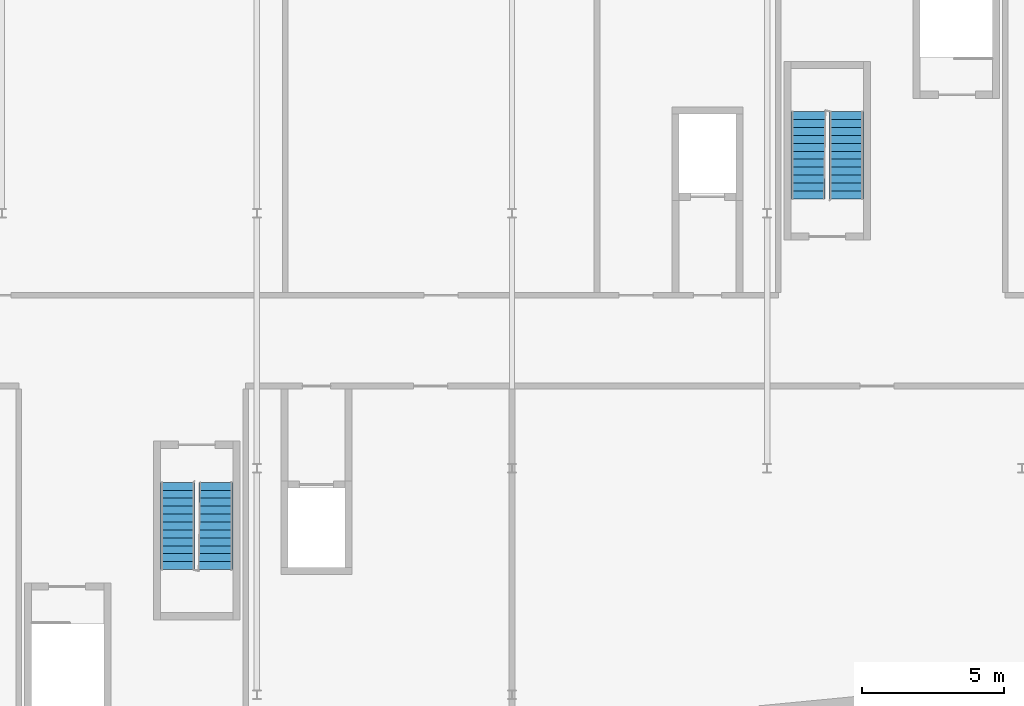
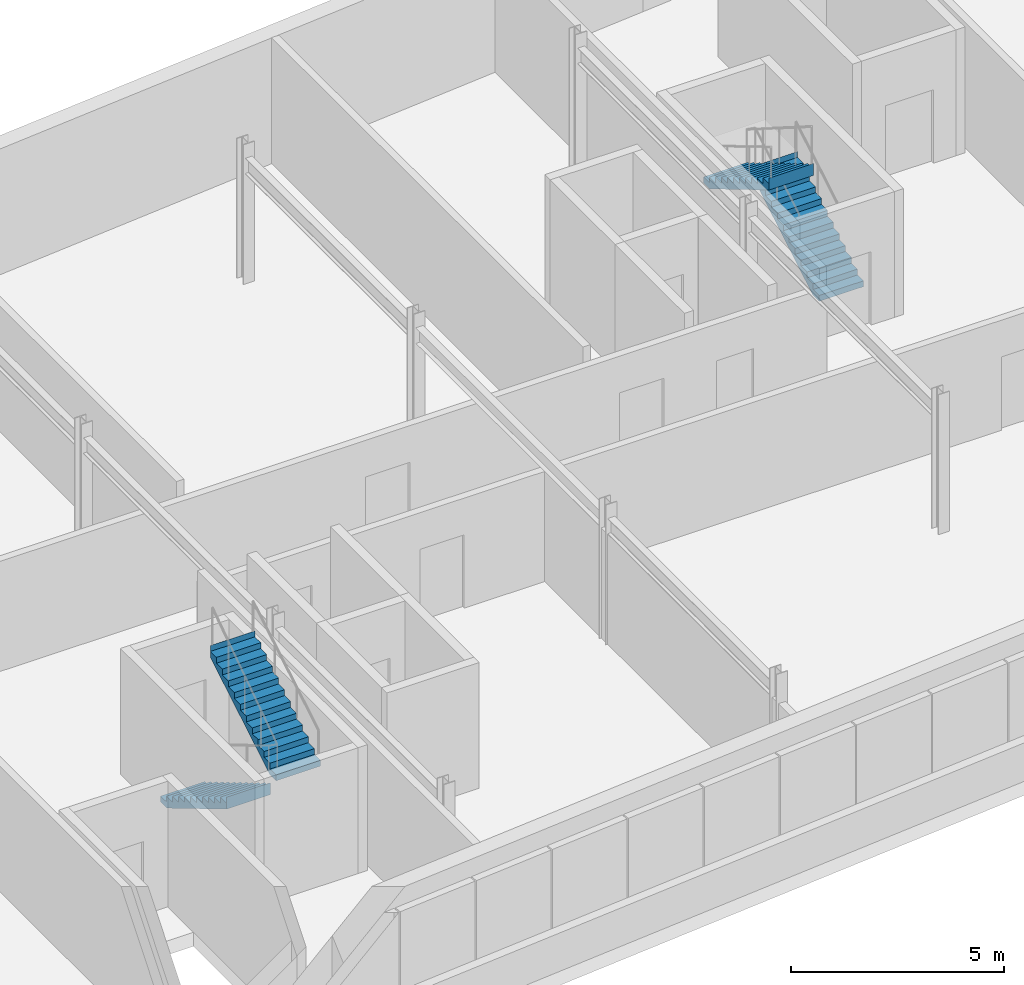
# One storey, part 5 of 6: 4 stair flights, 2 elements without a shape of their own.
"""IFC4 building model written with IfcOpenShell, lengths in metres."""

from ifc_helpers import new_model, si_unit, direction, frame, origin, place, context, subcontext, project, spatial, faceted_brep, material, type_object, element, aggregate, save


model = new_model("IFC4")

# Units and contexts
model_context = context("Model", 3, precision=1e-05, world=origin(), true_north=direction((0.0, 1.0)))
body_context = subcontext(model_context, "Body", "Model", "MODEL_VIEW")
ifc_project = project(units=[si_unit("LENGTHUNIT", "METRE"), si_unit("AREAUNIT", "SQUARE_METRE"), si_unit("VOLUMEUNIT", "CUBIC_METRE"), si_unit("PLANEANGLEUNIT", "RADIAN"), si_unit("MASSUNIT", "GRAM", prefix="KILO")], contexts=[model_context])

# Site, building, storey
site_placement = place(None, origin())
site = spatial("IfcSite", under=ifc_project, at=site_placement, CompositionType="ELEMENT")
building_placement = place(site_placement, origin())
building = spatial("IfcBuilding", under=site, at=building_placement, Name="Kajstack Hotel Tower", CompositionType="ELEMENT")
storey_placement = place(building_placement, frame((0.0, 0.0, 321.800048828125)))
storey = spatial("IfcBuildingStorey", under=building, at=storey_placement, Name="L81", CompositionType="ELEMENT", Elevation=321.800048828125)

# Stair, stair flights
ifc_material = material(Name="Concrete C40/50", Category="concrete")
stair_type = type_object("IfcStairType", Name="Exit stair 1200", PredefinedType="HALF_TURN_STAIR", material=ifc_material)
stair_1_placement = place(storey_placement, origin())
stair_1 = element("IfcStair", 1, at=stair_1_placement, inside=storey, type_object=stair_type, Name="L81 stair R1", PredefinedType="HALF_TURN_STAIR")
stair_flight_type = type_object("IfcStairFlightType", Name="Exit stair flight 1200", PredefinedType="STRAIGHT", material=ifc_material)
stair_flight_1_placement = place(storey_placement, frame((-11.800048828125, -5.0, 0.0), z_axis=(0.0, 0.0, 1.0), x_axis=(0.0, -1.0, 0.0)))
stair_flight_1 = element("IfcStairFlight", 2, at=stair_flight_1_placement, type_object=stair_flight_type, Name="R1 flight 1", NumberOfRisers=12, NumberOfTreads=11, PredefinedType="STRAIGHT", RiserHeight=0.166666667, TreadLength=0.28, context=body_context, shape_type="Brep", body=[
    faceted_brep([(0.29345703125, -0.60009765625, 0.0), (3.08056640625, -0.60009765625, 1.658935546875), (3.08056640625, -0.60009765625, 2.0), (3.080078125, -0.60009765625, 2.0), (3.080078125, -0.60009765625, 1.833251953125), (2.800048828125, -0.60009765625, 1.833251953125), (2.800048828125, -0.60009765625, 1.666748046875), (2.52001953125, -0.60009765625, 1.666748046875), (2.52001953125, -0.60009765625, 1.5), (2.239990234375, -0.60009765625, 1.5), (2.239990234375, -0.60009765625, 1.333251953125), (1.9599609375, -0.60009765625, 1.333251953125), (1.9599609375, -0.60009765625, 1.166748046875), (1.679931640625, -0.60009765625, 1.166748046875), (1.679931640625, -0.60009765625, 1.0), (1.39990234375, -0.60009765625, 1.0), (1.39990234375, -0.60009765625, 0.833251953125), (1.1201171875, -0.60009765625, 0.833251953125), (1.1201171875, -0.60009765625, 0.666748046875), (0.840087890625, -0.60009765625, 0.666748046875), (0.840087890625, -0.60009765625, 0.5), (0.56005859375, -0.60009765625, 0.5), (0.56005859375, -0.60009765625, 0.333251953125), (0.280029296875, -0.60009765625, 0.333251953125), (0.280029296875, -0.60009765625, 0.166748046875), (-0.00048828125, -0.60009765625, 0.166748046875), (-0.00048828125, -0.60009765625, 0.0), (-0.00048828125, 0.60009765625, 0.0), (-0.00048828125, 0.60009765625, 0.166748046875), (0.280029296875, 0.60009765625, 0.166748046875), (0.280029296875, 0.60009765625, 0.333251953125), (0.56005859375, 0.60009765625, 0.333251953125), (0.56005859375, 0.60009765625, 0.5), (0.840087890625, 0.60009765625, 0.5), (0.840087890625, 0.60009765625, 0.666748046875), (1.1201171875, 0.60009765625, 0.666748046875), (1.1201171875, 0.60009765625, 0.833251953125), (1.39990234375, 0.60009765625, 0.833251953125), (1.39990234375, 0.60009765625, 1.0), (1.679931640625, 0.60009765625, 1.0), (1.679931640625, 0.60009765625, 1.166748046875), (1.9599609375, 0.60009765625, 1.166748046875), (1.9599609375, 0.60009765625, 1.333251953125), (2.239990234375, 0.60009765625, 1.333251953125), (2.239990234375, 0.60009765625, 1.5), (2.52001953125, 0.60009765625, 1.5), (2.52001953125, 0.60009765625, 1.666748046875), (2.800048828125, 0.60009765625, 1.666748046875), (2.800048828125, 0.60009765625, 1.833251953125), (3.080078125, 0.60009765625, 1.833251953125), (3.080078125, 0.60009765625, 2.0), (3.08056640625, 0.60009765625, 2.0), (3.08056640625, 0.60009765625, 1.658935546875), (0.29345703125, 0.60009765625, 0.0), (-0.00048828125, -0.300048828125, 0.166748046875), (-0.00048828125, 0.0, 0.166748046875), (-0.00048828125, 0.300048828125, 0.166748046875), (-0.00048828125, 0.300048828125, 0.0), (-0.00048828125, 0.0, 0.0), (-0.00048828125, -0.300048828125, 0.0), (0.280029296875, -0.300048828125, 0.166748046875), (0.280029296875, 0.0, 0.166748046875), (0.280029296875, 0.300048828125, 0.166748046875), (0.280029296875, -0.300048828125, 0.333251953125), (0.280029296875, 0.0, 0.333251953125), (0.280029296875, 0.300048828125, 0.333251953125), (0.56005859375, -0.300048828125, 0.333251953125), (0.56005859375, 0.0, 0.333251953125), (0.56005859375, 0.300048828125, 0.333251953125), (0.56005859375, -0.300048828125, 0.5), (0.56005859375, 0.0, 0.5), (0.56005859375, 0.300048828125, 0.5), (0.840087890625, -0.300048828125, 0.5), (0.840087890625, 0.0, 0.5), (0.840087890625, 0.300048828125, 0.5), (0.840087890625, -0.300048828125, 0.666748046875), (0.840087890625, 0.0, 0.666748046875), (0.840087890625, 0.300048828125, 0.666748046875), (1.1201171875, -0.300048828125, 0.666748046875), (1.1201171875, 0.0, 0.666748046875), (1.1201171875, 0.300048828125, 0.666748046875), (1.1201171875, -0.300048828125, 0.833251953125), (1.1201171875, 0.0, 0.833251953125), (1.1201171875, 0.300048828125, 0.833251953125), (1.39990234375, -0.300048828125, 0.833251953125), (1.39990234375, 0.0, 0.833251953125), (1.39990234375, 0.300048828125, 0.833251953125), (1.39990234375, -0.300048828125, 1.0), (1.39990234375, 0.0, 1.0), (1.39990234375, 0.300048828125, 1.0), (1.679931640625, -0.300048828125, 1.0), (1.679931640625, 0.0, 1.0), (1.679931640625, 0.300048828125, 1.0), (1.679931640625, -0.300048828125, 1.166748046875), (1.679931640625, 0.0, 1.166748046875), (1.679931640625, 0.300048828125, 1.166748046875), (1.9599609375, -0.300048828125, 1.166748046875), (1.9599609375, 0.0, 1.166748046875), (1.9599609375, 0.300048828125, 1.166748046875), (1.9599609375, -0.300048828125, 1.333251953125), (1.9599609375, 0.0, 1.333251953125), (1.9599609375, 0.300048828125, 1.333251953125), (2.239990234375, -0.300048828125, 1.333251953125), (2.239990234375, 0.0, 1.333251953125), (2.239990234375, 0.300048828125, 1.333251953125), (2.239990234375, -0.300048828125, 1.5), (2.239990234375, 0.0, 1.5), (2.239990234375, 0.300048828125, 1.5), (2.52001953125, -0.300048828125, 1.5), (2.52001953125, 0.0, 1.5), (2.52001953125, 0.300048828125, 1.5), (2.52001953125, -0.300048828125, 1.666748046875), (2.52001953125, 0.0, 1.666748046875), (2.52001953125, 0.300048828125, 1.666748046875), (2.800048828125, -0.300048828125, 1.666748046875), (2.800048828125, 0.0, 1.666748046875), (2.800048828125, 0.300048828125, 1.666748046875), (2.800048828125, -0.300048828125, 1.833251953125), (2.800048828125, 0.0, 1.833251953125), (2.800048828125, 0.300048828125, 1.833251953125), (3.080078125, -0.300048828125, 1.833251953125), (3.080078125, 0.0, 1.833251953125), (3.080078125, 0.300048828125, 1.833251953125), (3.080078125, -0.300048828125, 2.0), (3.080078125, 0.0, 2.0), (3.080078125, 0.300048828125, 2.0), (3.08056640625, -0.300048828125, 2.0), (3.08056640625, 0.0, 2.0), (3.08056640625, 0.300048828125, 2.0), (3.08056640625, -0.300048828125, 1.658935546875), (3.08056640625, 0.0, 1.658935546875), (3.08056640625, 0.300048828125, 1.658935546875), (0.29345703125, -0.300048828125, 0.0), (0.29345703125, 0.0, 0.0), (0.29345703125, 0.300048828125, 0.0)], [[[0, 1, 2, 3, 4, 5, 6, 7, 8, 9, 10, 11, 12, 13, 14, 15, 16, 17, 18, 19, 20, 21, 22, 23, 24, 25, 26]], [[27, 28, 29, 30, 31, 32, 33, 34, 35, 36, 37, 38, 39, 40, 41, 42, 43, 44, 45, 46, 47, 48, 49, 50, 51, 52, 53]], [[25, 54, 55, 56, 28, 27, 57, 58, 59, 26]], [[24, 60, 61, 62, 29, 28, 56, 55, 54, 25]], [[23, 63, 64, 65, 30, 29, 62, 61, 60, 24]], [[22, 66, 67, 68, 31, 30, 65, 64, 63, 23]], [[21, 69, 70, 71, 32, 31, 68, 67, 66, 22]], [[20, 72, 73, 74, 33, 32, 71, 70, 69, 21]], [[19, 75, 76, 77, 34, 33, 74, 73, 72, 20]], [[18, 78, 79, 80, 35, 34, 77, 76, 75, 19]], [[17, 81, 82, 83, 36, 35, 80, 79, 78, 18]], [[16, 84, 85, 86, 37, 36, 83, 82, 81, 17]], [[15, 87, 88, 89, 38, 37, 86, 85, 84, 16]], [[14, 90, 91, 92, 39, 38, 89, 88, 87, 15]], [[13, 93, 94, 95, 40, 39, 92, 91, 90, 14]], [[12, 96, 97, 98, 41, 40, 95, 94, 93, 13]], [[11, 99, 100, 101, 42, 41, 98, 97, 96, 12]], [[10, 102, 103, 104, 43, 42, 101, 100, 99, 11]], [[9, 105, 106, 107, 44, 43, 104, 103, 102, 10]], [[8, 108, 109, 110, 45, 44, 107, 106, 105, 9]], [[7, 111, 112, 113, 46, 45, 110, 109, 108, 8]], [[6, 114, 115, 116, 47, 46, 113, 112, 111, 7]], [[5, 117, 118, 119, 48, 47, 116, 115, 114, 6]], [[4, 120, 121, 122, 49, 48, 119, 118, 117, 5]], [[3, 123, 124, 125, 50, 49, 122, 121, 120, 4]], [[2, 126, 127, 128, 51, 50, 125, 124, 123, 3]], [[1, 129, 130, 131, 52, 51, 128, 127, 126, 2]], [[0, 132, 133, 134, 53, 52, 131, 130, 129, 1]], [[26, 59, 58, 57, 27, 53, 134, 133, 132, 0]]]),
])
stair_flight_2_placement = place(storey_placement, frame((-10.449951171875, -8.080078125, 2.0), z_axis=(0.0, 0.0, 1.0), x_axis=(0.0, 1.0, 0.0)))
stair_flight_2 = element("IfcStairFlight", 3, at=stair_flight_2_placement, type_object=stair_flight_type, Name="R1 flight 2", NumberOfRisers=12, NumberOfTreads=11, PredefinedType="STRAIGHT", RiserHeight=0.166666667, TreadLength=0.28, context=body_context, shape_type="Brep", body=[
    faceted_brep([(0.29345703125, -0.60009765625, 0.0), (3.08056640625, -0.60009765625, 1.658935546875), (3.08056640625, -0.60009765625, 2.0), (3.080078125, -0.60009765625, 2.0), (3.080078125, -0.60009765625, 1.833251953125), (2.800048828125, -0.60009765625, 1.833251953125), (2.800048828125, -0.60009765625, 1.666748046875), (2.52001953125, -0.60009765625, 1.666748046875), (2.52001953125, -0.60009765625, 1.5), (2.239990234375, -0.60009765625, 1.5), (2.239990234375, -0.60009765625, 1.333251953125), (1.9599609375, -0.60009765625, 1.333251953125), (1.9599609375, -0.60009765625, 1.166748046875), (1.679931640625, -0.60009765625, 1.166748046875), (1.679931640625, -0.60009765625, 1.0), (1.39990234375, -0.60009765625, 1.0), (1.39990234375, -0.60009765625, 0.833251953125), (1.1201171875, -0.60009765625, 0.833251953125), (1.1201171875, -0.60009765625, 0.666748046875), (0.840087890625, -0.60009765625, 0.666748046875), (0.840087890625, -0.60009765625, 0.5), (0.56005859375, -0.60009765625, 0.5), (0.56005859375, -0.60009765625, 0.333251953125), (0.280029296875, -0.60009765625, 0.333251953125), (0.280029296875, -0.60009765625, 0.166748046875), (-0.00048828125, -0.60009765625, 0.166748046875), (-0.00048828125, -0.60009765625, 0.0), (-0.00048828125, 0.60009765625, 0.0), (-0.00048828125, 0.60009765625, 0.166748046875), (0.280029296875, 0.60009765625, 0.166748046875), (0.280029296875, 0.60009765625, 0.333251953125), (0.56005859375, 0.60009765625, 0.333251953125), (0.56005859375, 0.60009765625, 0.5), (0.840087890625, 0.60009765625, 0.5), (0.840087890625, 0.60009765625, 0.666748046875), (1.1201171875, 0.60009765625, 0.666748046875), (1.1201171875, 0.60009765625, 0.833251953125), (1.39990234375, 0.60009765625, 0.833251953125), (1.39990234375, 0.60009765625, 1.0), (1.679931640625, 0.60009765625, 1.0), (1.679931640625, 0.60009765625, 1.166748046875), (1.9599609375, 0.60009765625, 1.166748046875), (1.9599609375, 0.60009765625, 1.333251953125), (2.239990234375, 0.60009765625, 1.333251953125), (2.239990234375, 0.60009765625, 1.5), (2.52001953125, 0.60009765625, 1.5), (2.52001953125, 0.60009765625, 1.666748046875), (2.800048828125, 0.60009765625, 1.666748046875), (2.800048828125, 0.60009765625, 1.833251953125), (3.080078125, 0.60009765625, 1.833251953125), (3.080078125, 0.60009765625, 2.0), (3.08056640625, 0.60009765625, 2.0), (3.08056640625, 0.60009765625, 1.658935546875), (0.29345703125, 0.60009765625, 0.0), (-0.00048828125, -0.300048828125, 0.166748046875), (-0.00048828125, 0.0, 0.166748046875), (-0.00048828125, 0.300048828125, 0.166748046875), (-0.00048828125, 0.300048828125, 0.0), (-0.00048828125, 0.0, 0.0), (-0.00048828125, -0.300048828125, 0.0), (0.280029296875, -0.300048828125, 0.166748046875), (0.280029296875, 0.0, 0.166748046875), (0.280029296875, 0.300048828125, 0.166748046875), (0.280029296875, -0.300048828125, 0.333251953125), (0.280029296875, 0.0, 0.333251953125), (0.280029296875, 0.300048828125, 0.333251953125), (0.56005859375, -0.300048828125, 0.333251953125), (0.56005859375, 0.0, 0.333251953125), (0.56005859375, 0.300048828125, 0.333251953125), (0.56005859375, -0.300048828125, 0.5), (0.56005859375, 0.0, 0.5), (0.56005859375, 0.300048828125, 0.5), (0.840087890625, -0.300048828125, 0.5), (0.840087890625, 0.0, 0.5), (0.840087890625, 0.300048828125, 0.5), (0.840087890625, -0.300048828125, 0.666748046875), (0.840087890625, 0.0, 0.666748046875), (0.840087890625, 0.300048828125, 0.666748046875), (1.1201171875, -0.300048828125, 0.666748046875), (1.1201171875, 0.0, 0.666748046875), (1.1201171875, 0.300048828125, 0.666748046875), (1.1201171875, -0.300048828125, 0.833251953125), (1.1201171875, 0.0, 0.833251953125), (1.1201171875, 0.300048828125, 0.833251953125), (1.39990234375, -0.300048828125, 0.833251953125), (1.39990234375, 0.0, 0.833251953125), (1.39990234375, 0.300048828125, 0.833251953125), (1.39990234375, -0.300048828125, 1.0), (1.39990234375, 0.0, 1.0), (1.39990234375, 0.300048828125, 1.0), (1.679931640625, -0.300048828125, 1.0), (1.679931640625, 0.0, 1.0), (1.679931640625, 0.300048828125, 1.0), (1.679931640625, -0.300048828125, 1.166748046875), (1.679931640625, 0.0, 1.166748046875), (1.679931640625, 0.300048828125, 1.166748046875), (1.9599609375, -0.300048828125, 1.166748046875), (1.9599609375, 0.0, 1.166748046875), (1.9599609375, 0.300048828125, 1.166748046875), (1.9599609375, -0.300048828125, 1.333251953125), (1.9599609375, 0.0, 1.333251953125), (1.9599609375, 0.300048828125, 1.333251953125), (2.239990234375, -0.300048828125, 1.333251953125), (2.239990234375, 0.0, 1.333251953125), (2.239990234375, 0.300048828125, 1.333251953125), (2.239990234375, -0.300048828125, 1.5), (2.239990234375, 0.0, 1.5), (2.239990234375, 0.300048828125, 1.5), (2.52001953125, -0.300048828125, 1.5), (2.52001953125, 0.0, 1.5), (2.52001953125, 0.300048828125, 1.5), (2.52001953125, -0.300048828125, 1.666748046875), (2.52001953125, 0.0, 1.666748046875), (2.52001953125, 0.300048828125, 1.666748046875), (2.800048828125, -0.300048828125, 1.666748046875), (2.800048828125, 0.0, 1.666748046875), (2.800048828125, 0.300048828125, 1.666748046875), (2.800048828125, -0.300048828125, 1.833251953125), (2.800048828125, 0.0, 1.833251953125), (2.800048828125, 0.300048828125, 1.833251953125), (3.080078125, -0.300048828125, 1.833251953125), (3.080078125, 0.0, 1.833251953125), (3.080078125, 0.300048828125, 1.833251953125), (3.080078125, -0.300048828125, 2.0), (3.080078125, 0.0, 2.0), (3.080078125, 0.300048828125, 2.0), (3.08056640625, -0.300048828125, 2.0), (3.08056640625, 0.0, 2.0), (3.08056640625, 0.300048828125, 2.0), (3.08056640625, -0.300048828125, 1.658935546875), (3.08056640625, 0.0, 1.658935546875), (3.08056640625, 0.300048828125, 1.658935546875), (0.29345703125, -0.300048828125, 0.0), (0.29345703125, 0.0, 0.0), (0.29345703125, 0.300048828125, 0.0)], [[[0, 1, 2, 3, 4, 5, 6, 7, 8, 9, 10, 11, 12, 13, 14, 15, 16, 17, 18, 19, 20, 21, 22, 23, 24, 25, 26]], [[27, 28, 29, 30, 31, 32, 33, 34, 35, 36, 37, 38, 39, 40, 41, 42, 43, 44, 45, 46, 47, 48, 49, 50, 51, 52, 53]], [[25, 54, 55, 56, 28, 27, 57, 58, 59, 26]], [[24, 60, 61, 62, 29, 28, 56, 55, 54, 25]], [[23, 63, 64, 65, 30, 29, 62, 61, 60, 24]], [[22, 66, 67, 68, 31, 30, 65, 64, 63, 23]], [[21, 69, 70, 71, 32, 31, 68, 67, 66, 22]], [[20, 72, 73, 74, 33, 32, 71, 70, 69, 21]], [[19, 75, 76, 77, 34, 33, 74, 73, 72, 20]], [[18, 78, 79, 80, 35, 34, 77, 76, 75, 19]], [[17, 81, 82, 83, 36, 35, 80, 79, 78, 18]], [[16, 84, 85, 86, 37, 36, 83, 82, 81, 17]], [[15, 87, 88, 89, 38, 37, 86, 85, 84, 16]], [[14, 90, 91, 92, 39, 38, 89, 88, 87, 15]], [[13, 93, 94, 95, 40, 39, 92, 91, 90, 14]], [[12, 96, 97, 98, 41, 40, 95, 94, 93, 13]], [[11, 99, 100, 101, 42, 41, 98, 97, 96, 12]], [[10, 102, 103, 104, 43, 42, 101, 100, 99, 11]], [[9, 105, 106, 107, 44, 43, 104, 103, 102, 10]], [[8, 108, 109, 110, 45, 44, 107, 106, 105, 9]], [[7, 111, 112, 113, 46, 45, 110, 109, 108, 8]], [[6, 114, 115, 116, 47, 46, 113, 112, 111, 7]], [[5, 117, 118, 119, 48, 47, 116, 115, 114, 6]], [[4, 120, 121, 122, 49, 48, 119, 118, 117, 5]], [[3, 123, 124, 125, 50, 49, 122, 121, 120, 4]], [[2, 126, 127, 128, 51, 50, 125, 124, 123, 3]], [[1, 129, 130, 131, 52, 51, 128, 127, 126, 2]], [[0, 132, 133, 134, 53, 52, 131, 130, 129, 1]], [[26, 59, 58, 57, 27, 53, 134, 133, 132, 0]]]),
])
aggregate(stair_1, [stair_flight_1, stair_flight_2])

stair_2_placement = place(storey_placement, origin())
stair_2 = element("IfcStair", 4, at=stair_2_placement, inside=storey, type_object=stair_type, Name="L81 stair R2", PredefinedType="HALF_TURN_STAIR")
stair_flight_3_placement = place(storey_placement, frame((11.800048828125, 5.0, 0.0), z_axis=(0.0, 0.0, 1.0), x_axis=(0.0, 1.0, 0.0)))
stair_flight_3 = element("IfcStairFlight", 5, at=stair_flight_3_placement, type_object=stair_flight_type, Name="R2 flight 1", NumberOfRisers=12, NumberOfTreads=11, PredefinedType="STRAIGHT", RiserHeight=0.166666667, TreadLength=0.28, context=body_context, shape_type="Brep", body=[
    faceted_brep([(0.29345703125, -0.60009765625, 0.0), (3.08056640625, -0.60009765625, 1.658935546875), (3.08056640625, -0.60009765625, 2.0), (3.080078125, -0.60009765625, 2.0), (3.080078125, -0.60009765625, 1.833251953125), (2.800048828125, -0.60009765625, 1.833251953125), (2.800048828125, -0.60009765625, 1.666748046875), (2.52001953125, -0.60009765625, 1.666748046875), (2.52001953125, -0.60009765625, 1.5), (2.239990234375, -0.60009765625, 1.5), (2.239990234375, -0.60009765625, 1.333251953125), (1.9599609375, -0.60009765625, 1.333251953125), (1.9599609375, -0.60009765625, 1.166748046875), (1.679931640625, -0.60009765625, 1.166748046875), (1.679931640625, -0.60009765625, 1.0), (1.39990234375, -0.60009765625, 1.0), (1.39990234375, -0.60009765625, 0.833251953125), (1.1201171875, -0.60009765625, 0.833251953125), (1.1201171875, -0.60009765625, 0.666748046875), (0.840087890625, -0.60009765625, 0.666748046875), (0.840087890625, -0.60009765625, 0.5), (0.56005859375, -0.60009765625, 0.5), (0.56005859375, -0.60009765625, 0.333251953125), (0.280029296875, -0.60009765625, 0.333251953125), (0.280029296875, -0.60009765625, 0.166748046875), (-0.00048828125, -0.60009765625, 0.166748046875), (-0.00048828125, -0.60009765625, 0.0), (-0.00048828125, 0.60009765625, 0.0), (-0.00048828125, 0.60009765625, 0.166748046875), (0.280029296875, 0.60009765625, 0.166748046875), (0.280029296875, 0.60009765625, 0.333251953125), (0.56005859375, 0.60009765625, 0.333251953125), (0.56005859375, 0.60009765625, 0.5), (0.840087890625, 0.60009765625, 0.5), (0.840087890625, 0.60009765625, 0.666748046875), (1.1201171875, 0.60009765625, 0.666748046875), (1.1201171875, 0.60009765625, 0.833251953125), (1.39990234375, 0.60009765625, 0.833251953125), (1.39990234375, 0.60009765625, 1.0), (1.679931640625, 0.60009765625, 1.0), (1.679931640625, 0.60009765625, 1.166748046875), (1.9599609375, 0.60009765625, 1.166748046875), (1.9599609375, 0.60009765625, 1.333251953125), (2.239990234375, 0.60009765625, 1.333251953125), (2.239990234375, 0.60009765625, 1.5), (2.52001953125, 0.60009765625, 1.5), (2.52001953125, 0.60009765625, 1.666748046875), (2.800048828125, 0.60009765625, 1.666748046875), (2.800048828125, 0.60009765625, 1.833251953125), (3.080078125, 0.60009765625, 1.833251953125), (3.080078125, 0.60009765625, 2.0), (3.08056640625, 0.60009765625, 2.0), (3.08056640625, 0.60009765625, 1.658935546875), (0.29345703125, 0.60009765625, 0.0), (-0.00048828125, -0.300048828125, 0.166748046875), (-0.00048828125, 0.0, 0.166748046875), (-0.00048828125, 0.300048828125, 0.166748046875), (-0.00048828125, 0.300048828125, 0.0), (-0.00048828125, 0.0, 0.0), (-0.00048828125, -0.300048828125, 0.0), (0.280029296875, -0.300048828125, 0.166748046875), (0.280029296875, 0.0, 0.166748046875), (0.280029296875, 0.300048828125, 0.166748046875), (0.280029296875, -0.300048828125, 0.333251953125), (0.280029296875, 0.0, 0.333251953125), (0.280029296875, 0.300048828125, 0.333251953125), (0.56005859375, -0.300048828125, 0.333251953125), (0.56005859375, 0.0, 0.333251953125), (0.56005859375, 0.300048828125, 0.333251953125), (0.56005859375, -0.300048828125, 0.5), (0.56005859375, 0.0, 0.5), (0.56005859375, 0.300048828125, 0.5), (0.840087890625, -0.300048828125, 0.5), (0.840087890625, 0.0, 0.5), (0.840087890625, 0.300048828125, 0.5), (0.840087890625, -0.300048828125, 0.666748046875), (0.840087890625, 0.0, 0.666748046875), (0.840087890625, 0.300048828125, 0.666748046875), (1.1201171875, -0.300048828125, 0.666748046875), (1.1201171875, 0.0, 0.666748046875), (1.1201171875, 0.300048828125, 0.666748046875), (1.1201171875, -0.300048828125, 0.833251953125), (1.1201171875, 0.0, 0.833251953125), (1.1201171875, 0.300048828125, 0.833251953125), (1.39990234375, -0.300048828125, 0.833251953125), (1.39990234375, 0.0, 0.833251953125), (1.39990234375, 0.300048828125, 0.833251953125), (1.39990234375, -0.300048828125, 1.0), (1.39990234375, 0.0, 1.0), (1.39990234375, 0.300048828125, 1.0), (1.679931640625, -0.300048828125, 1.0), (1.679931640625, 0.0, 1.0), (1.679931640625, 0.300048828125, 1.0), (1.679931640625, -0.300048828125, 1.166748046875), (1.679931640625, 0.0, 1.166748046875), (1.679931640625, 0.300048828125, 1.166748046875), (1.9599609375, -0.300048828125, 1.166748046875), (1.9599609375, 0.0, 1.166748046875), (1.9599609375, 0.300048828125, 1.166748046875), (1.9599609375, -0.300048828125, 1.333251953125), (1.9599609375, 0.0, 1.333251953125), (1.9599609375, 0.300048828125, 1.333251953125), (2.239990234375, -0.300048828125, 1.333251953125), (2.239990234375, 0.0, 1.333251953125), (2.239990234375, 0.300048828125, 1.333251953125), (2.239990234375, -0.300048828125, 1.5), (2.239990234375, 0.0, 1.5), (2.239990234375, 0.300048828125, 1.5), (2.52001953125, -0.300048828125, 1.5), (2.52001953125, 0.0, 1.5), (2.52001953125, 0.300048828125, 1.5), (2.52001953125, -0.300048828125, 1.666748046875), (2.52001953125, 0.0, 1.666748046875), (2.52001953125, 0.300048828125, 1.666748046875), (2.800048828125, -0.300048828125, 1.666748046875), (2.800048828125, 0.0, 1.666748046875), (2.800048828125, 0.300048828125, 1.666748046875), (2.800048828125, -0.300048828125, 1.833251953125), (2.800048828125, 0.0, 1.833251953125), (2.800048828125, 0.300048828125, 1.833251953125), (3.080078125, -0.300048828125, 1.833251953125), (3.080078125, 0.0, 1.833251953125), (3.080078125, 0.300048828125, 1.833251953125), (3.080078125, -0.300048828125, 2.0), (3.080078125, 0.0, 2.0), (3.080078125, 0.300048828125, 2.0), (3.08056640625, -0.300048828125, 2.0), (3.08056640625, 0.0, 2.0), (3.08056640625, 0.300048828125, 2.0), (3.08056640625, -0.300048828125, 1.658935546875), (3.08056640625, 0.0, 1.658935546875), (3.08056640625, 0.300048828125, 1.658935546875), (0.29345703125, -0.300048828125, 0.0), (0.29345703125, 0.0, 0.0), (0.29345703125, 0.300048828125, 0.0)], [[[0, 1, 2, 3, 4, 5, 6, 7, 8, 9, 10, 11, 12, 13, 14, 15, 16, 17, 18, 19, 20, 21, 22, 23, 24, 25, 26]], [[27, 28, 29, 30, 31, 32, 33, 34, 35, 36, 37, 38, 39, 40, 41, 42, 43, 44, 45, 46, 47, 48, 49, 50, 51, 52, 53]], [[25, 54, 55, 56, 28, 27, 57, 58, 59, 26]], [[24, 60, 61, 62, 29, 28, 56, 55, 54, 25]], [[23, 63, 64, 65, 30, 29, 62, 61, 60, 24]], [[22, 66, 67, 68, 31, 30, 65, 64, 63, 23]], [[21, 69, 70, 71, 32, 31, 68, 67, 66, 22]], [[20, 72, 73, 74, 33, 32, 71, 70, 69, 21]], [[19, 75, 76, 77, 34, 33, 74, 73, 72, 20]], [[18, 78, 79, 80, 35, 34, 77, 76, 75, 19]], [[17, 81, 82, 83, 36, 35, 80, 79, 78, 18]], [[16, 84, 85, 86, 37, 36, 83, 82, 81, 17]], [[15, 87, 88, 89, 38, 37, 86, 85, 84, 16]], [[14, 90, 91, 92, 39, 38, 89, 88, 87, 15]], [[13, 93, 94, 95, 40, 39, 92, 91, 90, 14]], [[12, 96, 97, 98, 41, 40, 95, 94, 93, 13]], [[11, 99, 100, 101, 42, 41, 98, 97, 96, 12]], [[10, 102, 103, 104, 43, 42, 101, 100, 99, 11]], [[9, 105, 106, 107, 44, 43, 104, 103, 102, 10]], [[8, 108, 109, 110, 45, 44, 107, 106, 105, 9]], [[7, 111, 112, 113, 46, 45, 110, 109, 108, 8]], [[6, 114, 115, 116, 47, 46, 113, 112, 111, 7]], [[5, 117, 118, 119, 48, 47, 116, 115, 114, 6]], [[4, 120, 121, 122, 49, 48, 119, 118, 117, 5]], [[3, 123, 124, 125, 50, 49, 122, 121, 120, 4]], [[2, 126, 127, 128, 51, 50, 125, 124, 123, 3]], [[1, 129, 130, 131, 52, 51, 128, 127, 126, 2]], [[0, 132, 133, 134, 53, 52, 131, 130, 129, 1]], [[26, 59, 58, 57, 27, 53, 134, 133, 132, 0]]]),
])
stair_flight_4_placement = place(storey_placement, frame((10.449951171875, 8.080078125, 2.0), z_axis=(0.0, 0.0, 1.0), x_axis=(0.0, -1.0, 0.0)))
stair_flight_4 = element("IfcStairFlight", 6, at=stair_flight_4_placement, type_object=stair_flight_type, Name="R2 flight 2", NumberOfRisers=12, NumberOfTreads=11, PredefinedType="STRAIGHT", RiserHeight=0.166666667, TreadLength=0.28, context=body_context, shape_type="Brep", body=[
    faceted_brep([(0.29345703125, -0.60009765625, 0.0), (3.08056640625, -0.60009765625, 1.658935546875), (3.08056640625, -0.60009765625, 2.0), (3.080078125, -0.60009765625, 2.0), (3.080078125, -0.60009765625, 1.833251953125), (2.800048828125, -0.60009765625, 1.833251953125), (2.800048828125, -0.60009765625, 1.666748046875), (2.52001953125, -0.60009765625, 1.666748046875), (2.52001953125, -0.60009765625, 1.5), (2.239990234375, -0.60009765625, 1.5), (2.239990234375, -0.60009765625, 1.333251953125), (1.9599609375, -0.60009765625, 1.333251953125), (1.9599609375, -0.60009765625, 1.166748046875), (1.679931640625, -0.60009765625, 1.166748046875), (1.679931640625, -0.60009765625, 1.0), (1.39990234375, -0.60009765625, 1.0), (1.39990234375, -0.60009765625, 0.833251953125), (1.1201171875, -0.60009765625, 0.833251953125), (1.1201171875, -0.60009765625, 0.666748046875), (0.840087890625, -0.60009765625, 0.666748046875), (0.840087890625, -0.60009765625, 0.5), (0.56005859375, -0.60009765625, 0.5), (0.56005859375, -0.60009765625, 0.333251953125), (0.280029296875, -0.60009765625, 0.333251953125), (0.280029296875, -0.60009765625, 0.166748046875), (-0.00048828125, -0.60009765625, 0.166748046875), (-0.00048828125, -0.60009765625, 0.0), (-0.00048828125, 0.60009765625, 0.0), (-0.00048828125, 0.60009765625, 0.166748046875), (0.280029296875, 0.60009765625, 0.166748046875), (0.280029296875, 0.60009765625, 0.333251953125), (0.56005859375, 0.60009765625, 0.333251953125), (0.56005859375, 0.60009765625, 0.5), (0.840087890625, 0.60009765625, 0.5), (0.840087890625, 0.60009765625, 0.666748046875), (1.1201171875, 0.60009765625, 0.666748046875), (1.1201171875, 0.60009765625, 0.833251953125), (1.39990234375, 0.60009765625, 0.833251953125), (1.39990234375, 0.60009765625, 1.0), (1.679931640625, 0.60009765625, 1.0), (1.679931640625, 0.60009765625, 1.166748046875), (1.9599609375, 0.60009765625, 1.166748046875), (1.9599609375, 0.60009765625, 1.333251953125), (2.239990234375, 0.60009765625, 1.333251953125), (2.239990234375, 0.60009765625, 1.5), (2.52001953125, 0.60009765625, 1.5), (2.52001953125, 0.60009765625, 1.666748046875), (2.800048828125, 0.60009765625, 1.666748046875), (2.800048828125, 0.60009765625, 1.833251953125), (3.080078125, 0.60009765625, 1.833251953125), (3.080078125, 0.60009765625, 2.0), (3.08056640625, 0.60009765625, 2.0), (3.08056640625, 0.60009765625, 1.658935546875), (0.29345703125, 0.60009765625, 0.0), (-0.00048828125, -0.300048828125, 0.166748046875), (-0.00048828125, 0.0, 0.166748046875), (-0.00048828125, 0.300048828125, 0.166748046875), (-0.00048828125, 0.300048828125, 0.0), (-0.00048828125, 0.0, 0.0), (-0.00048828125, -0.300048828125, 0.0), (0.280029296875, -0.300048828125, 0.166748046875), (0.280029296875, 0.0, 0.166748046875), (0.280029296875, 0.300048828125, 0.166748046875), (0.280029296875, -0.300048828125, 0.333251953125), (0.280029296875, 0.0, 0.333251953125), (0.280029296875, 0.300048828125, 0.333251953125), (0.56005859375, -0.300048828125, 0.333251953125), (0.56005859375, 0.0, 0.333251953125), (0.56005859375, 0.300048828125, 0.333251953125), (0.56005859375, -0.300048828125, 0.5), (0.56005859375, 0.0, 0.5), (0.56005859375, 0.300048828125, 0.5), (0.840087890625, -0.300048828125, 0.5), (0.840087890625, 0.0, 0.5), (0.840087890625, 0.300048828125, 0.5), (0.840087890625, -0.300048828125, 0.666748046875), (0.840087890625, 0.0, 0.666748046875), (0.840087890625, 0.300048828125, 0.666748046875), (1.1201171875, -0.300048828125, 0.666748046875), (1.1201171875, 0.0, 0.666748046875), (1.1201171875, 0.300048828125, 0.666748046875), (1.1201171875, -0.300048828125, 0.833251953125), (1.1201171875, 0.0, 0.833251953125), (1.1201171875, 0.300048828125, 0.833251953125), (1.39990234375, -0.300048828125, 0.833251953125), (1.39990234375, 0.0, 0.833251953125), (1.39990234375, 0.300048828125, 0.833251953125), (1.39990234375, -0.300048828125, 1.0), (1.39990234375, 0.0, 1.0), (1.39990234375, 0.300048828125, 1.0), (1.679931640625, -0.300048828125, 1.0), (1.679931640625, 0.0, 1.0), (1.679931640625, 0.300048828125, 1.0), (1.679931640625, -0.300048828125, 1.166748046875), (1.679931640625, 0.0, 1.166748046875), (1.679931640625, 0.300048828125, 1.166748046875), (1.9599609375, -0.300048828125, 1.166748046875), (1.9599609375, 0.0, 1.166748046875), (1.9599609375, 0.300048828125, 1.166748046875), (1.9599609375, -0.300048828125, 1.333251953125), (1.9599609375, 0.0, 1.333251953125), (1.9599609375, 0.300048828125, 1.333251953125), (2.239990234375, -0.300048828125, 1.333251953125), (2.239990234375, 0.0, 1.333251953125), (2.239990234375, 0.300048828125, 1.333251953125), (2.239990234375, -0.300048828125, 1.5), (2.239990234375, 0.0, 1.5), (2.239990234375, 0.300048828125, 1.5), (2.52001953125, -0.300048828125, 1.5), (2.52001953125, 0.0, 1.5), (2.52001953125, 0.300048828125, 1.5), (2.52001953125, -0.300048828125, 1.666748046875), (2.52001953125, 0.0, 1.666748046875), (2.52001953125, 0.300048828125, 1.666748046875), (2.800048828125, -0.300048828125, 1.666748046875), (2.800048828125, 0.0, 1.666748046875), (2.800048828125, 0.300048828125, 1.666748046875), (2.800048828125, -0.300048828125, 1.833251953125), (2.800048828125, 0.0, 1.833251953125), (2.800048828125, 0.300048828125, 1.833251953125), (3.080078125, -0.300048828125, 1.833251953125), (3.080078125, 0.0, 1.833251953125), (3.080078125, 0.300048828125, 1.833251953125), (3.080078125, -0.300048828125, 2.0), (3.080078125, 0.0, 2.0), (3.080078125, 0.300048828125, 2.0), (3.08056640625, -0.300048828125, 2.0), (3.08056640625, 0.0, 2.0), (3.08056640625, 0.300048828125, 2.0), (3.08056640625, -0.300048828125, 1.658935546875), (3.08056640625, 0.0, 1.658935546875), (3.08056640625, 0.300048828125, 1.658935546875), (0.29345703125, -0.300048828125, 0.0), (0.29345703125, 0.0, 0.0), (0.29345703125, 0.300048828125, 0.0)], [[[0, 1, 2, 3, 4, 5, 6, 7, 8, 9, 10, 11, 12, 13, 14, 15, 16, 17, 18, 19, 20, 21, 22, 23, 24, 25, 26]], [[27, 28, 29, 30, 31, 32, 33, 34, 35, 36, 37, 38, 39, 40, 41, 42, 43, 44, 45, 46, 47, 48, 49, 50, 51, 52, 53]], [[25, 54, 55, 56, 28, 27, 57, 58, 59, 26]], [[24, 60, 61, 62, 29, 28, 56, 55, 54, 25]], [[23, 63, 64, 65, 30, 29, 62, 61, 60, 24]], [[22, 66, 67, 68, 31, 30, 65, 64, 63, 23]], [[21, 69, 70, 71, 32, 31, 68, 67, 66, 22]], [[20, 72, 73, 74, 33, 32, 71, 70, 69, 21]], [[19, 75, 76, 77, 34, 33, 74, 73, 72, 20]], [[18, 78, 79, 80, 35, 34, 77, 76, 75, 19]], [[17, 81, 82, 83, 36, 35, 80, 79, 78, 18]], [[16, 84, 85, 86, 37, 36, 83, 82, 81, 17]], [[15, 87, 88, 89, 38, 37, 86, 85, 84, 16]], [[14, 90, 91, 92, 39, 38, 89, 88, 87, 15]], [[13, 93, 94, 95, 40, 39, 92, 91, 90, 14]], [[12, 96, 97, 98, 41, 40, 95, 94, 93, 13]], [[11, 99, 100, 101, 42, 41, 98, 97, 96, 12]], [[10, 102, 103, 104, 43, 42, 101, 100, 99, 11]], [[9, 105, 106, 107, 44, 43, 104, 103, 102, 10]], [[8, 108, 109, 110, 45, 44, 107, 106, 105, 9]], [[7, 111, 112, 113, 46, 45, 110, 109, 108, 8]], [[6, 114, 115, 116, 47, 46, 113, 112, 111, 7]], [[5, 117, 118, 119, 48, 47, 116, 115, 114, 6]], [[4, 120, 121, 122, 49, 48, 119, 118, 117, 5]], [[3, 123, 124, 125, 50, 49, 122, 121, 120, 4]], [[2, 126, 127, 128, 51, 50, 125, 124, 123, 3]], [[1, 129, 130, 131, 52, 51, 128, 127, 126, 2]], [[0, 132, 133, 134, 53, 52, 131, 130, 129, 1]], [[26, 59, 58, 57, 27, 53, 134, 133, 132, 0]]]),
])
aggregate(stair_2, [stair_flight_3, stair_flight_4])

save(model, "model.ifc")
